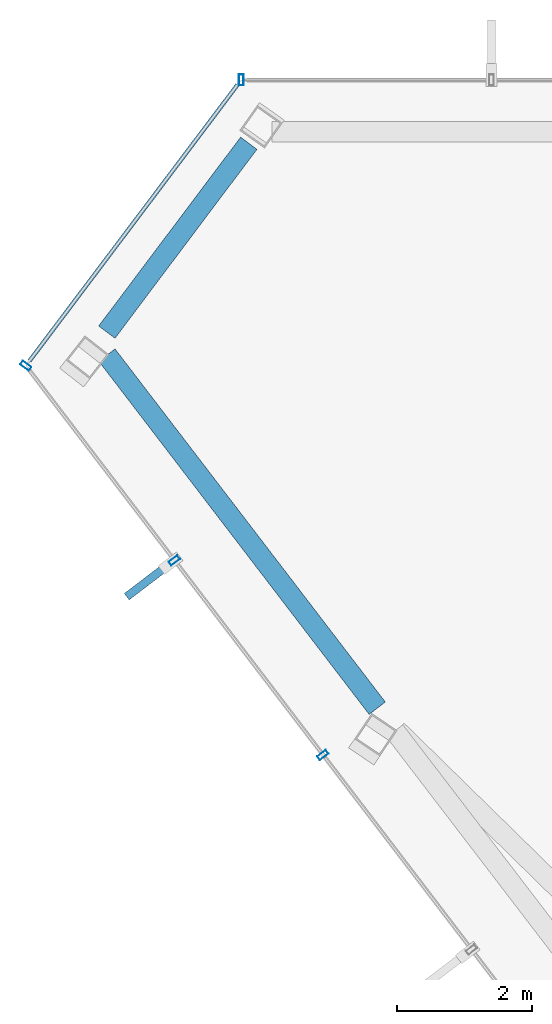
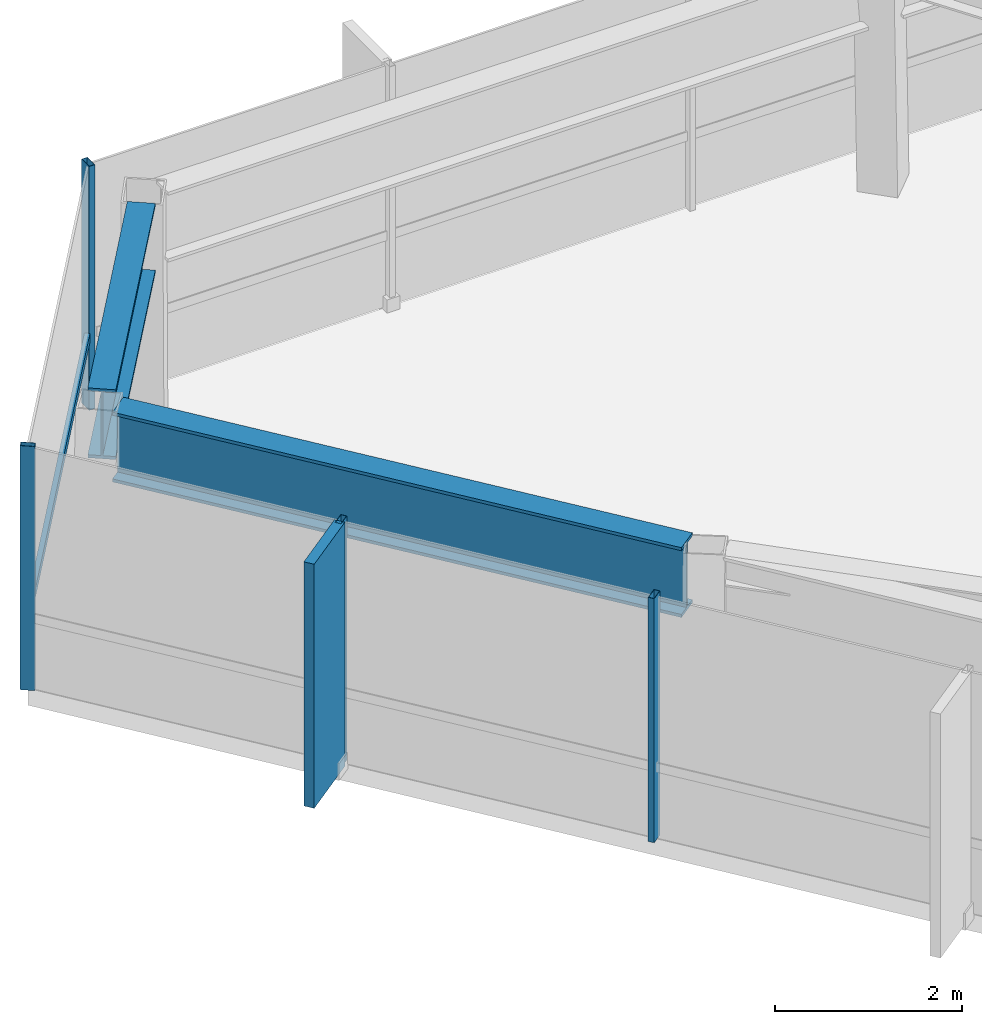
# One storey, part 10 of 22: 6 members, 2 beams, 3 elements without a shape of their own.
"""IFC4 building model written with IfcOpenShell, lengths in metres."""

from ifc_helpers import new_model, si_unit, direction, frame, origin, origin_2d, place, context, subcontext, project, spatial, rectangle, hollow_rectangle, i_section, extrude, material, layer, layer_set, material_profile, profile_set, type_object, element, aggregate, save


model = new_model("IFC4")

# Units and contexts
model_context = context("Model", 3, precision=1e-05, world=origin(), true_north=direction((0.0, 1.0)))
body_context = subcontext(model_context, "Body", "Model", "MODEL_VIEW")
ifc_project = project(units=[si_unit("LENGTHUNIT", "METRE"), si_unit("AREAUNIT", "SQUARE_METRE"), si_unit("VOLUMEUNIT", "CUBIC_METRE"), si_unit("PLANEANGLEUNIT", "RADIAN"), si_unit("MASSUNIT", "GRAM", prefix="KILO")], contexts=[model_context])

# Site, building, storey
site_placement = place(None, origin())
site = spatial("IfcSite", under=ifc_project, at=site_placement, CompositionType="ELEMENT")
building_placement = place(site_placement, origin())
building = spatial("IfcBuilding", under=site, at=building_placement, Name="Zarrinselat Tower", CompositionType="ELEMENT")
storey_placement = place(building_placement, frame((0.0, 0.0, 295.800048828125)))
storey = spatial("IfcBuildingStorey", under=building, at=storey_placement, Name="L76", CompositionType="ELEMENT", Elevation=295.800048828125)

# Beams
ifc_material_1 = material(Name="Steel S460M", Category="steel")
ifc_material_profile_1 = material_profile(ifc_material_1, i_section(OverallWidth=0.302001953125, OverallDepth=0.909912109375, WebThickness=0.02099609375, FlangeThickness=0.0400390625, at=origin_2d()), Name="HEM 900")
ifc_profile_set_1 = profile_set([ifc_material_profile_1], Name="Steel S460M")
beam_type = type_object("IfcBeamType", Name="BM-HEM900", PredefinedType="BEAM", material=ifc_profile_set_1)
beam_1_placement = place(storey_placement, frame((17.744384765625, 43.785400390625, 2.724853515625), z_axis=(0.60081548958, 0.799387732881, 0.0), x_axis=(-0.799387732881, 0.60081548958, 0.0)))
element("IfcBeam", 1, at=beam_1_placement, inside=storey, type_object=beam_type, Name="L76 Perimeter Spandrel Girder SP05", PredefinedType="BEAM", context=body_context, shape_type="SweptSolid", body=[
    extrude(i_section(OverallWidth=0.302001953125, OverallDepth=0.909912109375, WebThickness=0.02099609375, FlangeThickness=0.0400390625, at=origin_2d()), origin(), (0.0, 0.0, 1.0), 3.495361328125),
])
beam_2_placement = place(storey_placement, frame((17.745849609375, 43.446044921875, 2.724853515625), z_axis=(0.607893681854, -0.794018432759, 0.0), x_axis=(0.794018432759, 0.607893681854, 0.0)))
element("IfcBeam", 2, at=beam_2_placement, inside=storey, type_object=beam_type, Name="L76 Perimeter Spandrel Girder SP06", PredefinedType="BEAM", context=body_context, shape_type="SweptSolid", body=[
    extrude(i_section(OverallWidth=0.302001953125, OverallDepth=0.909912109375, WebThickness=0.02099609375, FlangeThickness=0.0400390625, at=origin_2d()), origin(), (0.0, 0.0, 1.0), 6.576904296875),
])

# Curtain wall, member
ifc_material_2 = material(Name="Extruded Aluminium Alloy EN AW-6063 T6", Category="aluminium")
ifc_layer = layer(ifc_material_2, 0.169921875)
ifc_layer_set = layer_set([ifc_layer], Name="Extruded Aluminium Alloy EN AW-6063 T6")
curtain_wall_type = type_object("IfcCurtainWallType", Name="CWS-RES", PredefinedType="NOTDEFINED", material=ifc_layer_set)
curtain_wall_1_placement = place(storey_placement, origin())
curtain_wall_1 = element("IfcCurtainWall", 3, at=curtain_wall_1_placement, inside=storey, type_object=curtain_wall_type, Name="L76 Unitised Curtain Wall CW-L76-E01", PredefinedType="NOTDEFINED")
ifc_material_3 = material(Name="Extruded Aluminium Alloy EN AW-6063 T6", Category="aluminium")
ifc_material_profile_2 = material_profile(ifc_material_3, hollow_rectangle(XDim=0.070068359375, YDim=0.159912109375, WallThickness=0.00390625, at=origin_2d()), Name="RHS 160x70x4")
ifc_profile_set_2 = profile_set([ifc_material_profile_2], Name="Extruded Aluminium Alloy EN AW-6063 T6")
member_type_1 = type_object("IfcMemberType", Name="MEM-CW-MUL2", PredefinedType="MULLION", material=ifc_profile_set_2)
member_1_placement = place(storey_placement, frame((19.731201171875, 47.5166015625, 0.0), z_axis=(0.0, 0.0, 1.0), x_axis=(-1.0, 0.0, 0.0)))
member_1 = element("IfcMember", 4, at=member_1_placement, type_object=member_type_1, Name="CW-L76-E01 Mullion 10", PredefinedType="MULLION", context=body_context, shape_type="SweptSolid", body=[
    extrude(hollow_rectangle(XDim=0.070068359375, YDim=0.159912109375, WallThickness=0.00390625, at=origin_2d()), origin(), (0.0, 0.0, 1.0), 3.179931640625),
])
aggregate(curtain_wall_1, [member_1])

curtain_wall_2_placement = place(storey_placement, origin())
curtain_wall_2 = element("IfcCurtainWall", 5, at=curtain_wall_2_placement, inside=storey, type_object=curtain_wall_type, Name="L76 Unitised Curtain Wall CW-L76-E02", PredefinedType="NOTDEFINED")
member_2_placement = place(storey_placement, frame((16.54541015625, 43.28759765625, 0.0), z_axis=(0.0, 0.0, 1.0), x_axis=(-0.601678799407, -0.798738143789, 0.0)))
member_2 = element("IfcMember", 6, at=member_2_placement, type_object=member_type_1, Name="CW-L76-E02 Mullion 1", PredefinedType="MULLION", context=body_context, shape_type="SweptSolid", body=[
    extrude(hollow_rectangle(XDim=0.070068359375, YDim=0.159912109375, WallThickness=0.00390625, at=origin_2d()), origin(), (0.0, 0.0, 1.0), 3.179931640625),
])

# Curtain wall, members
curtain_wall_3_placement = place(storey_placement, origin())
curtain_wall_3 = element("IfcCurtainWall", 7, at=curtain_wall_3_placement, inside=storey, type_object=curtain_wall_type, Name="L76 Unitised Curtain Wall CW-L76-E03", PredefinedType="NOTDEFINED")
member_3_placement = place(storey_placement, frame((18.7421875, 40.40966796875, 0.0), z_axis=(0.0, 0.0, 1.0), x_axis=(0.606801746242, -0.794853219631, 0.0)))
member_3 = element("IfcMember", 8, at=member_3_placement, type_object=member_type_1, Name="CW-L76-E03 Mullion 1", PredefinedType="MULLION", context=body_context, shape_type="SweptSolid", body=[
    extrude(hollow_rectangle(XDim=0.070068359375, YDim=0.159912109375, WallThickness=0.00390625, at=origin_2d()), origin(), (0.0, 0.0, 1.0), 3.179931640625),
])
member_4_placement = place(storey_placement, frame((20.939453125, 37.53173828125, 0.0), z_axis=(0.0, 0.0, 1.0), x_axis=(0.606801746242, -0.794853219631, 0.0)))
member_4 = element("IfcMember", 9, at=member_4_placement, type_object=member_type_1, Name="CW-L76-E03 Mullion 2", PredefinedType="MULLION", context=body_context, shape_type="SweptSolid", body=[
    extrude(hollow_rectangle(XDim=0.070068359375, YDim=0.159912109375, WallThickness=0.00390625, at=origin_2d()), origin(), (0.0, 0.0, 1.0), 3.179931640625),
])

# Member
ifc_material_4 = material(Name="Extruded Aluminium Alloy EN AW-6063 T6", Category="aluminium")
ifc_material_profile_3 = material_profile(ifc_material_4, hollow_rectangle(XDim=0.06005859375, YDim=0.1201171875, WallThickness=0.00390625, at=origin_2d()), Name="RHS 120x60x4")
ifc_profile_set_3 = profile_set([ifc_material_profile_3], Name="Extruded Aluminium Alloy EN AW-6063 T6")
member_type_2 = type_object("IfcMemberType", Name="MEM-CW-TRN2", PredefinedType="USERDEFINED", material=ifc_profile_set_3)
member_5_placement = place(storey_placement, frame((19.677001953125, 47.44482421875, 0.949951171875), z_axis=(-0.601663597647, -0.798749594846, 0.0), x_axis=(0.798749594846, -0.601663597647, 0.0)))
member_5 = element("IfcMember", 10, at=member_5_placement, type_object=member_type_2, Name="CW-L76-E02 Transom 1", ObjectType="TRANSOM", PredefinedType="USERDEFINED", context=body_context, shape_type="SweptSolid", body=[
    extrude(hollow_rectangle(XDim=0.06005859375, YDim=0.1201171875, WallThickness=0.00390625, at=origin_2d()), origin(), (0.0, 0.0, 1.0), 5.11474609375),
])

aggregate(curtain_wall_2, [member_2, member_5])

ifc_material_5 = material(Name="Honed Cream Travertine Stone", Category="masonry")
ifc_material_profile_4 = material_profile(ifc_material_5, rectangle(XDim=0.1201171875, YDim=0.85009765625, at=origin_2d()), Name="FIN 850x120")
ifc_profile_set_4 = profile_set([ifc_material_profile_4], Name="Honed Cream Travertine Stone")
member_type_3 = type_object("IfcMemberType", Name="MEM-STONE-FIN", PredefinedType="USERDEFINED", material=ifc_profile_set_4)
member_6_placement = place(storey_placement, frame((18.376708984375, 40.130615234375, 0.0), z_axis=(0.0, 0.0, 1.0), x_axis=(-0.606801746242, 0.794853219631, 0.0)))
member_6 = element("IfcMember", 11, at=member_6_placement, type_object=member_type_3, Name="L76 Stone Shading Fin CW-L76-E03-01", ObjectType="FIN", PredefinedType="USERDEFINED", context=body_context, shape_type="SweptSolid", body=[
    extrude(rectangle(XDim=0.1201171875, YDim=0.85009765625, at=origin_2d()), origin(), (0.0, 0.0, 1.0), 3.179931640625),
])

aggregate(curtain_wall_3, [member_3, member_6, member_4])

save(model, "model.ifc")
